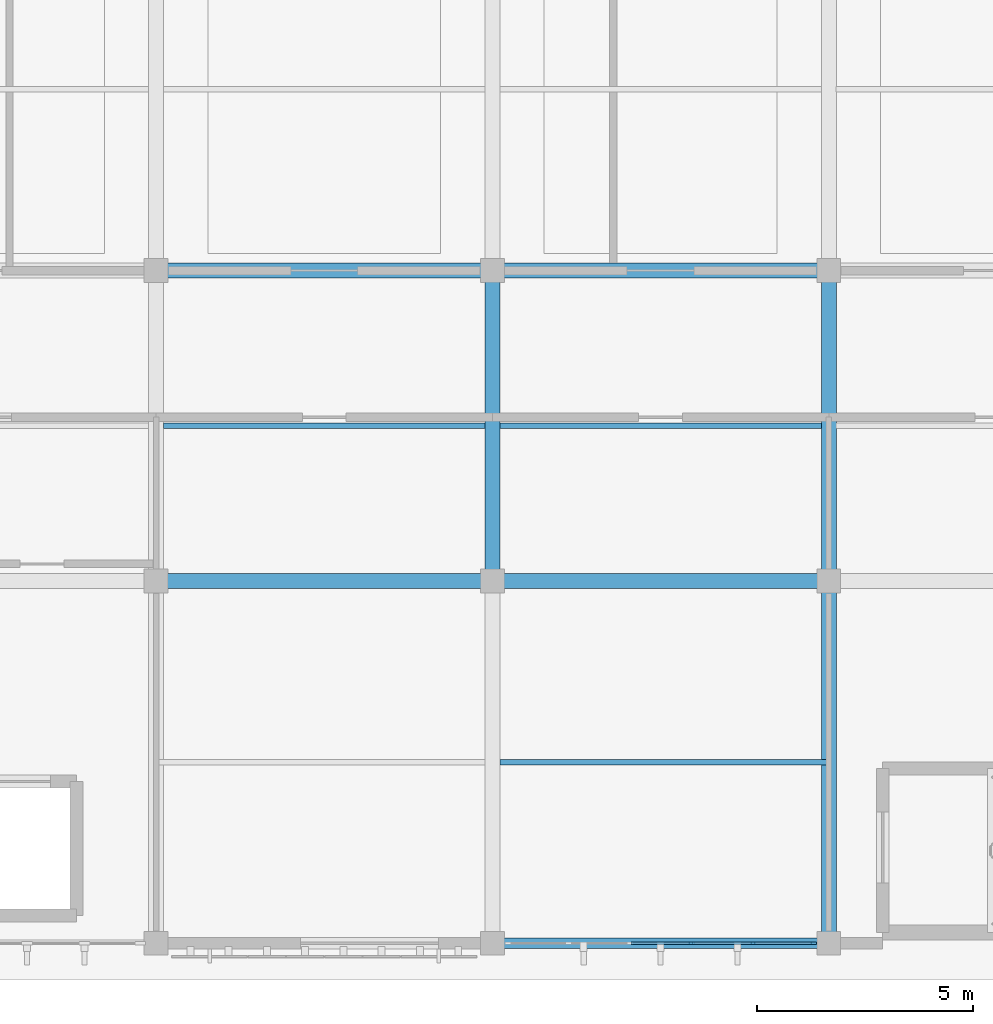
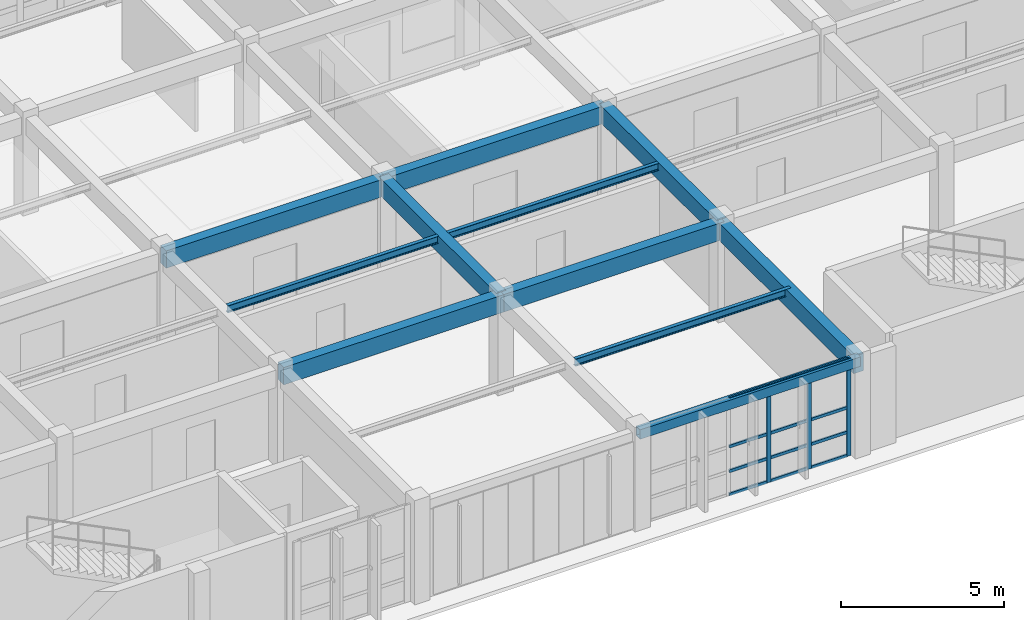
# One storey, part 7 of 35: 15 members, 11 beams, 1 element without a shape of its own.
"""IFC4 building model written with IfcOpenShell, lengths in metres."""

from ifc_helpers import new_model, si_unit, direction, frame, origin, origin_2d, place, context, subcontext, project, spatial, rectangle, hollow_rectangle, i_section, extrude, material, material_profile, profile_set, type_object, element, aggregate, save


model = new_model("IFC4")

# Units and contexts
model_context = context("Model", 3, precision=1e-05, world=origin(), true_north=direction((0.0, 1.0)))
body_context = subcontext(model_context, "Body", "Model", "MODEL_VIEW")
ifc_project = project(units=[si_unit("LENGTHUNIT", "METRE"), si_unit("AREAUNIT", "SQUARE_METRE"), si_unit("VOLUMEUNIT", "CUBIC_METRE"), si_unit("PLANEANGLEUNIT", "RADIAN"), si_unit("MASSUNIT", "GRAM", prefix="KILO")], contexts=[model_context])

# Site, building, storey
site_placement = place(None, origin())
site = spatial("IfcSite", under=ifc_project, at=site_placement, CompositionType="ELEMENT")
building_placement = place(site_placement, origin())
building = spatial("IfcBuilding", under=site, at=building_placement, Name="Tizgana Railside Sports Hall", CompositionType="ELEMENT")
storey_placement = place(building_placement, frame((0.0, 0.0, 15.89990234375)))
storey = spatial("IfcBuildingStorey", under=building, at=storey_placement, Name="L03", CompositionType="ELEMENT", Elevation=15.89990234375)

# Beams
ifc_material_1 = material(Name="Concrete C35/45", Category="concrete")
ifc_material_profile_1 = material_profile(ifc_material_1, rectangle(XDim=0.35009765625, YDim=0.64990234375, at=origin_2d()), Name="RCB 350x650")
ifc_profile_set_1 = profile_set([ifc_material_profile_1], Name="Concrete C35/45")
beam_type_1 = type_object("IfcBeamType", Name="Concrete Beam RCB 350x650", PredefinedType="BEAM", material=ifc_profile_set_1)
beam_1_placement = place(storey_placement, frame((31.199951171875, 8.39990234375, 3.31103515625), z_axis=(0.0, 1.0, 0.0), x_axis=(-1.0, 0.0, 0.0)))
element("IfcBeam", 1, at=beam_1_placement, inside=storey, type_object=beam_type_1, Name="L03 BEM-0715", PredefinedType="BEAM", context=body_context, shape_type="SweptSolid", body=[
    extrude(rectangle(XDim=0.35009765625, YDim=0.64990234375, at=origin_2d()), origin(), (0.0, 0.0, 1.0), 7.2001953125),
])
beam_2_placement = place(storey_placement, frame((39.0, 0.0, 3.31103515625), z_axis=(0.0, 1.0, 0.0), x_axis=(-1.0, 0.0, 0.0)))
element("IfcBeam", 2, at=beam_2_placement, inside=storey, type_object=beam_type_1, Name="L03 BEM-0718", PredefinedType="BEAM", context=body_context, shape_type="SweptSolid", body=[
    extrude(rectangle(XDim=0.35009765625, YDim=0.64990234375, at=origin_2d()), origin(), (0.0, 0.0, 1.0), 8.39990234375),
])
beam_3_placement = place(storey_placement, frame((39.0, 8.39990234375, 3.31103515625), z_axis=(0.0, 1.0, 0.0), x_axis=(-1.0, 0.0, 0.0)))
element("IfcBeam", 3, at=beam_3_placement, inside=storey, type_object=beam_type_1, Name="L03 BEM-0719", PredefinedType="BEAM", context=body_context, shape_type="SweptSolid", body=[
    extrude(rectangle(XDim=0.35009765625, YDim=0.64990234375, at=origin_2d()), origin(), (0.0, 0.0, 1.0), 7.2001953125),
])
for number, where, z_axis, x_axis, name in (
    (4, (23.39990234375, 8.39990234375, 3.31103515625), (1.0, 0.0, 0.0), (0.0, 1.0, 0.0), "L03 BEM-0747"),
    (5, (23.39990234375, 15.60009765625, 3.31103515625), (1.0, 0.0, 0.0), (0.0, 1.0, 0.0), "L03 BEM-0748"),
    (6, (31.199951171875, 8.39990234375, 3.31103515625), (1.0, 0.0, 0.0), (0.0, 1.0, 0.0), "L03 BEM-0756"),
    (7, (31.199951171875, 15.60009765625, 3.31103515625), (1.0, 0.0, 0.0), (0.0, 1.0, 0.0), "L03 BEM-0757"),
):
    element("IfcBeam", number, at=place(storey_placement, frame(where, z_axis=z_axis, x_axis=x_axis)), inside=storey, type_object=beam_type_1, Name=name, PredefinedType="BEAM", context=body_context, shape_type="SweptSolid", body=[
        extrude(rectangle(XDim=0.35009765625, YDim=0.64990234375, at=origin_2d()), origin(), (0.0, 0.0, 1.0), 7.800048828125),
    ])

# Curtain wall, members
ifc_material_2 = material(Name="Anodised aluminium and glass", Category="aluminium")
curtain_wall_type = type_object("IfcCurtainWallType", Name="Unitised Curtain Wall Concourse 1500", PredefinedType="NOTDEFINED", material=ifc_material_2)
curtain_wall_placement = place(storey_placement, origin())
curtain_wall = element("IfcCurtainWall", 8, at=curtain_wall_placement, inside=storey, type_object=curtain_wall_type, Name="L03 Curtain Wall CW-0120", PredefinedType="NOTDEFINED")
ifc_material_3 = material(Name="Anodised aluminium", Category="aluminium")
ifc_material_profile_2 = material_profile(ifc_material_3, rectangle(XDim=0.06005859375, YDim=0.139892578125, at=origin_2d()), Name="Mullion 60x140")
ifc_profile_set_2 = profile_set([ifc_material_profile_2], Name="Anodised aluminium")
member_type_1 = type_object("IfcMemberType", Name="Mullion 60x140", PredefinedType="MULLION", material=ifc_profile_set_2)
member_1_placement = place(storey_placement, frame((38.639892578125, 0.0, 0.0), z_axis=(0.0, 0.0, 1.0), x_axis=(0.0, -1.0, 0.0)))
member_1 = element("IfcMember", 9, at=member_1_placement, type_object=member_type_1, Name="CW-01 mullion 1", PredefinedType="MULLION", context=body_context, shape_type="SweptSolid", body=[
    extrude(rectangle(XDim=0.06005859375, YDim=0.139892578125, at=origin_2d()), origin(), (0.0, 0.0, 1.0), 3.64013671875),
])
member_2_placement = place(storey_placement, frame((37.241943359375, 0.0, 0.0), z_axis=(0.0, 0.0, 1.0), x_axis=(0.0, -1.0, 0.0)))
member_2 = element("IfcMember", 10, at=member_2_placement, type_object=member_type_1, Name="CW-01 mullion 2", PredefinedType="MULLION", context=body_context, shape_type="SweptSolid", body=[
    extrude(rectangle(XDim=0.06005859375, YDim=0.139892578125, at=origin_2d()), origin(), (0.0, 0.0, 1.0), 3.64013671875),
])
member_3_placement = place(storey_placement, frame((35.81396484375, 0.0, 0.0), z_axis=(0.0, 0.0, 1.0), x_axis=(0.0, -1.0, 0.0)))
member_3 = element("IfcMember", 11, at=member_3_placement, type_object=member_type_1, Name="CW-01 mullion 3", PredefinedType="MULLION", context=body_context, shape_type="SweptSolid", body=[
    extrude(rectangle(XDim=0.06005859375, YDim=0.139892578125, at=origin_2d()), origin(), (0.0, 0.0, 1.0), 3.64013671875),
])

# Beams
ifc_material_4 = material(Name="Steel S355J2", Category="steel")
ifc_material_profile_3 = material_profile(ifc_material_4, i_section(OverallWidth=0.1298828125, OverallDepth=0.27001953125, WebThickness=0.006591796875, FlangeThickness=0.01025390625, FilletRadius=0.014892578125, at=origin_2d()), Name="IPE 270")
ifc_profile_set_3 = profile_set([ifc_material_profile_3], Name="Steel S355J2")
beam_type_2 = type_object("IfcBeamType", Name="Steel Joist IPE 270", PredefinedType="JOIST", material=ifc_profile_set_3)
beam_4_placement = place(storey_placement, frame((23.570068359375, 12.0, 3.5009765625), z_axis=(1.0, 0.0, 0.0), x_axis=(0.0, 1.0, 0.0)))
element("IfcBeam", 12, at=beam_4_placement, inside=storey, type_object=beam_type_2, Name="L03 BEM-0752", PredefinedType="JOIST", context=body_context, shape_type="SweptSolid", body=[
    extrude(i_section(OverallWidth=0.1298828125, OverallDepth=0.27001953125, WebThickness=0.006591796875, FlangeThickness=0.01025390625, FilletRadius=0.014892578125, at=origin_2d()), origin(), (0.0, 0.0, 1.0), 7.4599609375),
])
beam_5_placement = place(storey_placement, frame((31.3701171875, 4.199951171875, 3.5009765625), z_axis=(1.0, 0.0, 0.0), x_axis=(0.0, 1.0, 0.0)))
element("IfcBeam", 13, at=beam_5_placement, inside=storey, type_object=beam_type_2, Name="L03 BEM-0760", PredefinedType="JOIST", context=body_context, shape_type="SweptSolid", body=[
    extrude(i_section(OverallWidth=0.1298828125, OverallDepth=0.27001953125, WebThickness=0.006591796875, FlangeThickness=0.01025390625, FilletRadius=0.014892578125, at=origin_2d()), origin(), (0.0, 0.0, 1.0), 7.6298828125),
])
beam_6_placement = place(storey_placement, frame((31.3701171875, 12.0, 3.5009765625), z_axis=(1.0, 0.0, 0.0), x_axis=(0.0, 1.0, 0.0)))
element("IfcBeam", 14, at=beam_6_placement, inside=storey, type_object=beam_type_2, Name="L03 BEM-0761", PredefinedType="JOIST", context=body_context, shape_type="SweptSolid", body=[
    extrude(i_section(OverallWidth=0.1298828125, OverallDepth=0.27001953125, WebThickness=0.006591796875, FlangeThickness=0.01025390625, FilletRadius=0.014892578125, at=origin_2d()), origin(), (0.0, 0.0, 1.0), 7.4599609375),
])
ifc_material_profile_4 = material_profile(ifc_material_4, hollow_rectangle(XDim=0.25, YDim=0.35009765625, WallThickness=0.011962890625, at=origin_2d()), Name="RHS 350x250x12")
ifc_profile_set_4 = profile_set([ifc_material_profile_4], Name="Steel S355J2")
beam_type_3 = type_object("IfcBeamType", Name="Steel Spandrel RHS 350x250x12", PredefinedType="SPANDREL", material=ifc_profile_set_4)
beam_7_placement = place(storey_placement, frame((31.199951171875, 0.0, 3.461181640625), z_axis=(1.0, 0.0, 0.0), x_axis=(0.0, 1.0, 0.0)))
element("IfcBeam", 15, at=beam_7_placement, inside=storey, type_object=beam_type_3, Name="L03 BEM-0755", PredefinedType="SPANDREL", context=body_context, shape_type="SweptSolid", body=[
    extrude(hollow_rectangle(XDim=0.25, YDim=0.35009765625, WallThickness=0.011962890625, at=origin_2d()), origin(), (0.0, 0.0, 1.0), 7.800048828125),
])

# Member
ifc_material_profile_5 = material_profile(ifc_material_3, rectangle(XDim=0.06005859375, YDim=0.110107421875, at=origin_2d()), Name="Transom 60x110")
ifc_profile_set_5 = profile_set([ifc_material_profile_5], Name="Anodised aluminium")
member_type_2 = type_object("IfcMemberType", Name="Transom 60x110", PredefinedType="USERDEFINED", material=ifc_profile_set_5)
member_4_placement = place(storey_placement, frame((38.610107421875, 0.0, 0.030029296875), z_axis=(-1.0, 0.0, 0.0), x_axis=(0.0, -1.0, 0.0)))
member_4 = element("IfcMember", 16, at=member_4_placement, type_object=member_type_2, Name="CW-01 transom 1.1", ObjectType="TRANSOM", PredefinedType="USERDEFINED", context=body_context, shape_type="SweptSolid", body=[
    extrude(rectangle(XDim=0.06005859375, YDim=0.110107421875, at=origin_2d()), origin(), (0.0, 0.0, 1.0), 1.338134765625),
])

member_5_placement = place(storey_placement, frame((38.610107421875, 0.0, 0.900146484375), z_axis=(-1.0, 0.0, 0.0), x_axis=(0.0, -1.0, 0.0)))
member_5 = element("IfcMember", 17, at=member_5_placement, type_object=member_type_2, Name="CW-01 transom 1.2", ObjectType="TRANSOM", PredefinedType="USERDEFINED", context=body_context, shape_type="SweptSolid", body=[
    extrude(rectangle(XDim=0.06005859375, YDim=0.110107421875, at=origin_2d()), origin(), (0.0, 0.0, 1.0), 1.338134765625),
])

member_6_placement = place(storey_placement, frame((38.610107421875, 0.0, 1.820068359375), z_axis=(-1.0, 0.0, 0.0), x_axis=(0.0, -1.0, 0.0)))
member_6 = element("IfcMember", 18, at=member_6_placement, type_object=member_type_2, Name="CW-01 transom 1.3", ObjectType="TRANSOM", PredefinedType="USERDEFINED", context=body_context, shape_type="SweptSolid", body=[
    extrude(rectangle(XDim=0.06005859375, YDim=0.110107421875, at=origin_2d()), origin(), (0.0, 0.0, 1.0), 1.338134765625),
])

member_7_placement = place(storey_placement, frame((38.610107421875, 0.0, 3.610107421875), z_axis=(-1.0, 0.0, 0.0), x_axis=(0.0, -1.0, 0.0)))
member_7 = element("IfcMember", 19, at=member_7_placement, type_object=member_type_2, Name="CW-01 transom 1.4", ObjectType="TRANSOM", PredefinedType="USERDEFINED", context=body_context, shape_type="SweptSolid", body=[
    extrude(rectangle(XDim=0.06005859375, YDim=0.110107421875, at=origin_2d()), origin(), (0.0, 0.0, 1.0), 1.338134765625),
])

member_8_placement = place(storey_placement, frame((37.2119140625, 0.0, 0.030029296875), z_axis=(-1.0, 0.0, 0.0), x_axis=(0.0, -1.0, 0.0)))
member_8 = element("IfcMember", 20, at=member_8_placement, type_object=member_type_2, Name="CW-01 transom 2.1", ObjectType="TRANSOM", PredefinedType="USERDEFINED", context=body_context, shape_type="SweptSolid", body=[
    extrude(rectangle(XDim=0.06005859375, YDim=0.110107421875, at=origin_2d()), origin(), (0.0, 0.0, 1.0), 1.367919921875),
])

member_9_placement = place(storey_placement, frame((37.2119140625, 0.0, 0.900146484375), z_axis=(-1.0, 0.0, 0.0), x_axis=(0.0, -1.0, 0.0)))
member_9 = element("IfcMember", 21, at=member_9_placement, type_object=member_type_2, Name="CW-01 transom 2.2", ObjectType="TRANSOM", PredefinedType="USERDEFINED", context=body_context, shape_type="SweptSolid", body=[
    extrude(rectangle(XDim=0.06005859375, YDim=0.110107421875, at=origin_2d()), origin(), (0.0, 0.0, 1.0), 1.367919921875),
])

member_10_placement = place(storey_placement, frame((37.2119140625, 0.0, 1.820068359375), z_axis=(-1.0, 0.0, 0.0), x_axis=(0.0, -1.0, 0.0)))
member_10 = element("IfcMember", 22, at=member_10_placement, type_object=member_type_2, Name="CW-01 transom 2.3", ObjectType="TRANSOM", PredefinedType="USERDEFINED", context=body_context, shape_type="SweptSolid", body=[
    extrude(rectangle(XDim=0.06005859375, YDim=0.110107421875, at=origin_2d()), origin(), (0.0, 0.0, 1.0), 1.367919921875),
])

member_11_placement = place(storey_placement, frame((37.2119140625, 0.0, 3.610107421875), z_axis=(-1.0, 0.0, 0.0), x_axis=(0.0, -1.0, 0.0)))
member_11 = element("IfcMember", 23, at=member_11_placement, type_object=member_type_2, Name="CW-01 transom 2.4", ObjectType="TRANSOM", PredefinedType="USERDEFINED", context=body_context, shape_type="SweptSolid", body=[
    extrude(rectangle(XDim=0.06005859375, YDim=0.110107421875, at=origin_2d()), origin(), (0.0, 0.0, 1.0), 1.367919921875),
])

member_12_placement = place(storey_placement, frame((35.783935546875, 0.0, 0.030029296875), z_axis=(-1.0, 0.0, 0.0), x_axis=(0.0, -1.0, 0.0)))
member_12 = element("IfcMember", 24, at=member_12_placement, type_object=member_type_2, Name="CW-01 transom 3.1", ObjectType="TRANSOM", PredefinedType="USERDEFINED", context=body_context, shape_type="SweptSolid", body=[
    extrude(rectangle(XDim=0.06005859375, YDim=0.110107421875, at=origin_2d()), origin(), (0.0, 0.0, 1.0), 1.367919921875),
])

member_13_placement = place(storey_placement, frame((35.783935546875, 0.0, 0.900146484375), z_axis=(-1.0, 0.0, 0.0), x_axis=(0.0, -1.0, 0.0)))
member_13 = element("IfcMember", 25, at=member_13_placement, type_object=member_type_2, Name="CW-01 transom 3.2", ObjectType="TRANSOM", PredefinedType="USERDEFINED", context=body_context, shape_type="SweptSolid", body=[
    extrude(rectangle(XDim=0.06005859375, YDim=0.110107421875, at=origin_2d()), origin(), (0.0, 0.0, 1.0), 1.367919921875),
])

member_14_placement = place(storey_placement, frame((35.783935546875, 0.0, 1.820068359375), z_axis=(-1.0, 0.0, 0.0), x_axis=(0.0, -1.0, 0.0)))
member_14 = element("IfcMember", 26, at=member_14_placement, type_object=member_type_2, Name="CW-01 transom 3.3", ObjectType="TRANSOM", PredefinedType="USERDEFINED", context=body_context, shape_type="SweptSolid", body=[
    extrude(rectangle(XDim=0.06005859375, YDim=0.110107421875, at=origin_2d()), origin(), (0.0, 0.0, 1.0), 1.367919921875),
])

member_15_placement = place(storey_placement, frame((35.783935546875, 0.0, 3.610107421875), z_axis=(-1.0, 0.0, 0.0), x_axis=(0.0, -1.0, 0.0)))
member_15 = element("IfcMember", 27, at=member_15_placement, type_object=member_type_2, Name="CW-01 transom 3.4", ObjectType="TRANSOM", PredefinedType="USERDEFINED", context=body_context, shape_type="SweptSolid", body=[
    extrude(rectangle(XDim=0.06005859375, YDim=0.110107421875, at=origin_2d()), origin(), (0.0, 0.0, 1.0), 1.367919921875),
])

aggregate(curtain_wall, [member_1, member_2, member_3, member_4, member_5, member_6, member_7, member_8, member_9, member_10, member_11, member_12, member_13, member_14, member_15])

save(model, "model.ifc")
